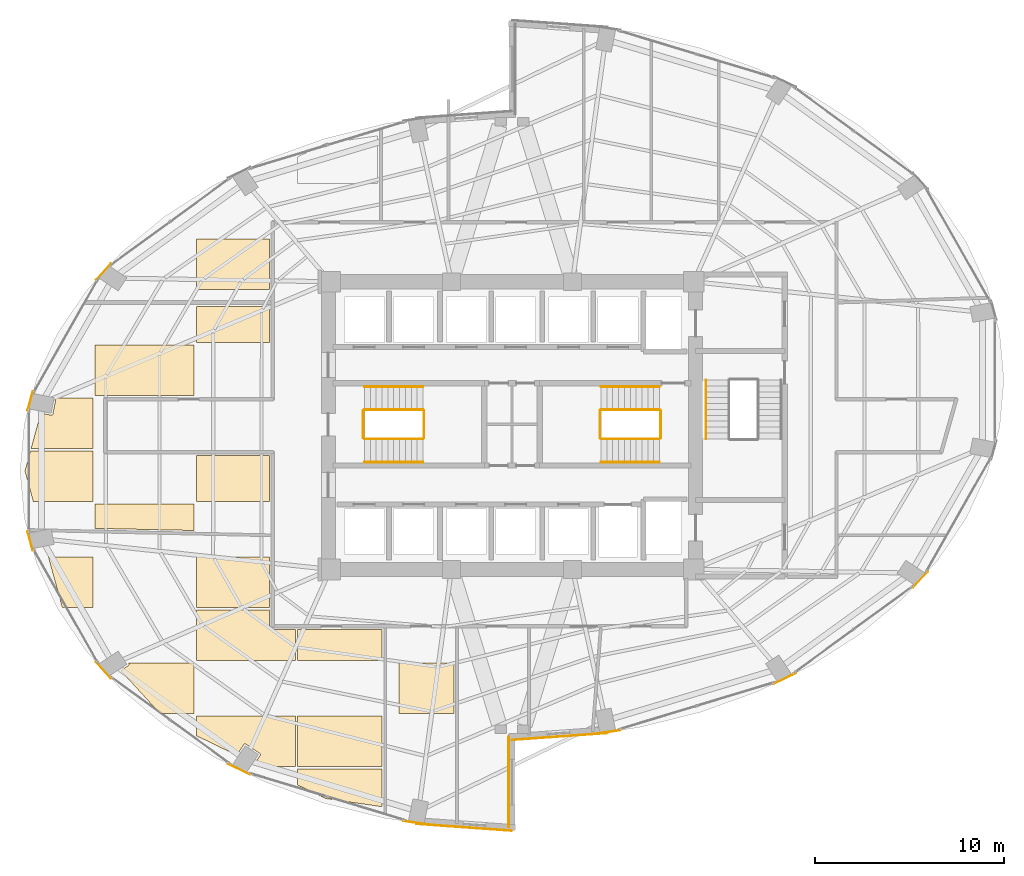
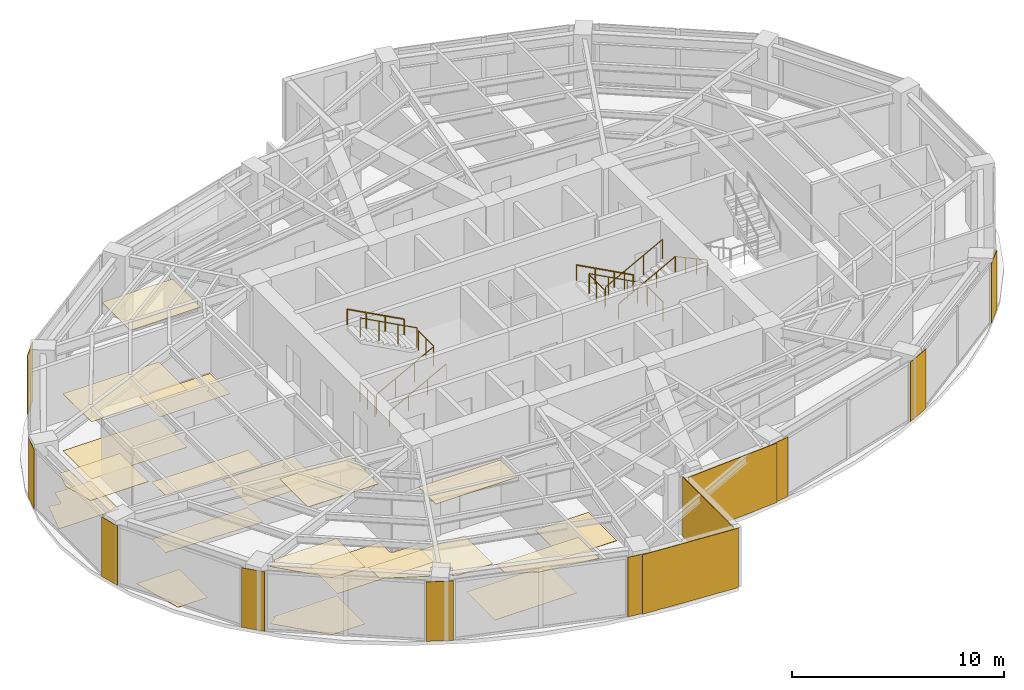
# One storey, part 22 of 23: 31 coverings, 13 railings.
"""IFC4 building model written with IfcOpenShell, lengths in metres."""

from ifc_helpers import new_model, si_unit, direction, frame, origin, origin_2d, place, context, subcontext, project, spatial, polyline, rectangle, circle, outline, extrude, material, layer, layer_set, type_object, element, save


model = new_model("IFC4")

# Units and contexts
model_context = context("Model", 3, precision=1e-05, world=origin(), true_north=direction((0.0, 1.0)))
body_context = subcontext(model_context, "Body", "Model", "MODEL_VIEW")
ifc_project = project(units=[si_unit("LENGTHUNIT", "METRE"), si_unit("AREAUNIT", "SQUARE_METRE"), si_unit("VOLUMEUNIT", "CUBIC_METRE"), si_unit("PLANEANGLEUNIT", "RADIAN"), si_unit("MASSUNIT", "GRAM", prefix="KILO")], contexts=[model_context])

# Site, building, storey
site_placement = place(None, origin())
site = spatial("IfcSite", under=ifc_project, at=site_placement, CompositionType="ELEMENT")
building_placement = place(site_placement, origin())
building = spatial("IfcBuilding", under=site, at=building_placement, Name="Lazwardi Medical Tower", CompositionType="ELEMENT")
storey_placement = place(building_placement, frame((0.0, 0.0, 89.0400390625)))
storey = spatial("IfcBuildingStorey", under=building, at=storey_placement, Name="L22", CompositionType="ELEMENT", Elevation=89.0400390625)

# Coverings
ifc_material_1 = material(Name="Anodised bronze aluminium cassette cladding", Category="aluminium")
ifc_layer_1 = layer(ifc_material_1, 0.030029296875)
ifc_layer_set_1 = layer_set([ifc_layer_1], Name="Anodised bronze aluminium cassette cladding")
covering_type_1 = type_object("IfcCoveringType", Name="COV-CLD-BRZ", PredefinedType="CLADDING", material=ifc_layer_set_1)
covering_1_placement = place(storey_placement, frame((41.064208984375, 11.80322265625, 0.0), z_axis=(0.0, 0.0, 1.0), x_axis=(0.989609019093, 0.143784523955, 0.0)))
element("IfcCovering", 1, at=covering_1_placement, inside=storey, type_object=covering_type_1, Name="L22 Mega-column bronze cassette cover M01", PredefinedType="CLADDING", context=body_context, shape_type="SweptSolid", body=[
    extrude(rectangle(XDim=1.392333984375, YDim=0.030029296875, at=origin_2d()), origin(), (0.0, 0.0, 1.0), 3.427978515625),
])
covering_2_placement = place(storey_placement, frame((50.421875, 14.634521484375, 0.0), z_axis=(0.0, 0.0, 1.0), x_axis=(0.898679250201, 0.438606435495, 0.0)))
element("IfcCovering", 2, at=covering_2_placement, inside=storey, type_object=covering_type_1, Name="L22 Mega-column bronze cassette cover M02", PredefinedType="CLADDING", context=body_context, shape_type="SweptSolid", body=[
    extrude(rectangle(XDim=1.2998046875, YDim=0.030029296875, at=origin_2d()), origin(), (0.0, 0.0, 1.0), 3.427978515625),
])
for number, where, z_axis, x_axis, name in (
    (3, (57.583740234375, 19.86572265625, 0.0), (0.0, 0.0, 1.0), (0.674925949214, 0.737885467453, 0.0), "L22 Mega-column bronze cassette cover M03"),
    (4, (14.416259765625, 36.13427734375, 0.0), (0.0, 0.0, 1.0), (-0.674925949214, -0.737885467453, 0.0), "L22 Mega-column bronze cassette cover M11"),
):
    element("IfcCovering", number, at=place(storey_placement, frame(where, z_axis=z_axis, x_axis=x_axis)), inside=storey, type_object=covering_type_1, Name=name, PredefinedType="CLADDING", context=body_context, shape_type="SweptSolid", body=[
        extrude(rectangle(XDim=1.15625, YDim=0.030029296875, at=origin_2d()), origin(), (0.0, 0.0, 1.0), 3.427978515625),
    ])
for number, where, z_axis, x_axis, name in (
    (5, (10.540283203125, 29.299072265625, 0.0), (0.0, 0.0, 1.0), (-0.262696108164, -0.964878621774, 0.0), "L22 Mega-column bronze cassette cover M12"),
    (6, (10.540283203125, 21.90087890625, 0.0), (0.0, 0.0, 1.0), (0.262696108164, -0.964878621774, 0.0), "L22 Mega-column bronze cassette cover M13"),
):
    element("IfcCovering", number, at=place(storey_placement, frame(where, z_axis=z_axis, x_axis=x_axis)), inside=storey, type_object=covering_type_1, Name=name, PredefinedType="CLADDING", context=body_context, shape_type="SweptSolid", body=[
        extrude(rectangle(XDim=1.04296875, YDim=0.030029296875, at=origin_2d()), origin(), (0.0, 0.0, 1.0), 3.427978515625),
    ])
covering_3_placement = place(storey_placement, frame((14.416259765625, 15.06591796875, 0.0), z_axis=(0.0, 0.0, 1.0), x_axis=(0.674925949214, -0.737885467453, 0.0)))
element("IfcCovering", 7, at=covering_3_placement, inside=storey, type_object=covering_type_1, Name="L22 Mega-column bronze cassette cover M14", PredefinedType="CLADDING", context=body_context, shape_type="SweptSolid", body=[
    extrude(rectangle(XDim=1.15625, YDim=0.030029296875, at=origin_2d()), origin(), (0.0, 0.0, 1.0), 3.427978515625),
])
covering_4_placement = place(storey_placement, frame((21.578125, 9.83447265625, 0.0), z_axis=(0.0, 0.0, 1.0), x_axis=(0.898679250201, -0.438606435495, 0.0)))
element("IfcCovering", 8, at=covering_4_placement, inside=storey, type_object=covering_type_1, Name="L22 Mega-column bronze cassette cover M15", PredefinedType="CLADDING", context=body_context, shape_type="SweptSolid", body=[
    extrude(rectangle(XDim=1.2998046875, YDim=0.030029296875, at=origin_2d()), origin(), (0.0, 0.0, 1.0), 3.427978515625),
])
covering_5_placement = place(storey_placement, frame((30.935791015625, 7.00341796875, 0.0), z_axis=(0.0, 0.0, 1.0), x_axis=(0.989609019093, -0.143784523955, 0.0)))
element("IfcCovering", 9, at=covering_5_placement, inside=storey, type_object=covering_type_1, Name="L22 Mega-column bronze cassette cover M16", PredefinedType="CLADDING", context=body_context, shape_type="SweptSolid", body=[
    extrude(rectangle(XDim=1.392333984375, YDim=0.030029296875, at=origin_2d()), origin(), (0.0, 0.0, 1.0), 3.427978515625),
])
ifc_material_2 = material(Name="Turquoise glazed ceramic tilework cladding", Category="masonry")
ifc_layer_2 = layer(ifc_material_2, 0.034912109375)
ifc_layer_set_2 = layer_set([ifc_layer_2], Name="Turquoise glazed ceramic tilework cladding")
covering_type_2 = type_object("IfcCoveringType", Name="COV-CLD-TRQ", PredefinedType="CLADDING", material=ifc_layer_set_2)
covering_6_placement = place(storey_placement, frame((38.533203125, 11.56591796875, 0.0), z_axis=(0.0, 0.0, 1.0), x_axis=(0.997431665415, 0.07162452672, 0.0)))
element("IfcCovering", 10, at=covering_6_placement, inside=storey, type_object=covering_type_2, Name="L22 Turquoise glazed ceramic tilework cladding", PredefinedType="CLADDING", context=body_context, shape_type="SweptSolid", body=[
    extrude(rectangle(XDim=5.05419921875, YDim=0.034912109375, at=origin_2d()), origin(), (0.0, 0.0, 1.0), 3.427978515625),
])
covering_7_placement = place(storey_placement, frame((33.466552734375, 6.76611328125, 0.0), z_axis=(0.0, 0.0, 1.0), x_axis=(0.997431165357, -0.071631490105, 0.0)))
element("IfcCovering", 11, at=covering_7_placement, inside=storey, type_object=covering_type_2, Name="L22 Turquoise glazed ceramic tilework cladding", PredefinedType="CLADDING", context=body_context, shape_type="SweptSolid", body=[
    extrude(rectangle(XDim=5.0537109375, YDim=0.034912109375, at=origin_2d()), origin(), (0.0, 0.0, 1.0), 3.427978515625),
])
covering_8_placement = place(storey_placement, frame((35.824462890625, 9.159912109375, 0.0), z_axis=(0.0, 0.0, 1.0), x_axis=(0.0, 1.0, 0.0)))
element("IfcCovering", 12, at=covering_8_placement, inside=storey, type_object=covering_type_2, Name="L22 Turquoise glazed ceramic tilework iwan panel", PredefinedType="CLADDING", context=body_context, shape_type="SweptSolid", body=[
    extrude(rectangle(XDim=4.800048828125, YDim=0.034912109375, at=origin_2d()), origin(), (0.0, 0.0, 1.0), 3.427978515625),
])
ifc_material_3 = material(Name="Acoustic mineral fibre tile")
ifc_layer_3 = layer(ifc_material_3, 0.02490234375)
ifc_layer_set_3 = layer_set([ifc_layer_3], Name="Acoustic mineral fibre tile")
covering_type_3 = type_object("IfcCoveringType", Name="COV-CLG-01", PredefinedType="CEILING", material=ifc_layer_set_3)
covering_9_placement = place(storey_placement, frame((0.0, 0.0, 3.282958984375)))
element("IfcCovering", 13, at=covering_9_placement, inside=storey, type_object=covering_type_3, Name="L22 Clinical Acoustic Ceiling 1", PredefinedType="CEILING", context=body_context, shape_type="SweptSolid", body=[
    extrude(outline(polyline([(10.552978515625, 26.662353515625), (10.262939453125, 25.60009765625), (10.704345703125, 23.982421875), (13.852783203125, 23.982421875), (13.852783203125, 26.662353515625), (10.552978515625, 26.662353515625)])), origin(), (0.0, 0.0, 1.0), 0.02490234375),
])
covering_10_placement = place(storey_placement, frame((0.0, 0.0, 3.282958984375)))
element("IfcCovering", 14, at=covering_10_placement, inside=storey, type_object=covering_type_3, Name="L22 Clinical Acoustic Ceiling 2", PredefinedType="CEILING", context=body_context, shape_type="SweptSolid", body=[
    extrude(outline(polyline([(15.725830078125, 15.46240234375), (15.748779296875, 15.42822265625), (15.752685546875, 15.421630859375), (15.756103515625, 15.41455078125), (15.7587890625, 15.406982421875), (15.7607421875, 15.3994140625), (15.76171875, 15.3916015625), (15.76220703125, 15.3837890625), (15.76171875, 15.376220703125), (15.7607421875, 15.368408203125), (15.7587890625, 15.360595703125), (15.756103515625, 15.353271484375), (15.752685546875, 15.34619140625), (15.748779296875, 15.339599609375), (15.743896484375, 15.3330078125), (15.73876953125, 15.327392578125), (15.73291015625, 15.322021484375), (15.7265625, 15.3173828125), (15.32421875, 15.048583984375), (17.401611328125, 12.782470703125), (19.202880859375, 12.782470703125), (19.202880859375, 15.46240234375), (15.725830078125, 15.46240234375)])), origin(), (0.0, 0.0, 1.0), 0.02490234375),
])
covering_11_placement = place(storey_placement, frame((0.0, 0.0, 3.282958984375)))
element("IfcCovering", 15, at=covering_11_placement, inside=storey, type_object=covering_type_3, Name="L22 Clinical Acoustic Ceiling 3", PredefinedType="CEILING", context=body_context, shape_type="SweptSolid", body=[
    extrude(outline(polyline([(13.972900390625, 22.56787109375), (19.202880859375, 22.45458984375), (19.202880859375, 23.8623046875), (13.972900390625, 23.8623046875), (13.972900390625, 22.56787109375)])), origin(), (0.0, 0.0, 1.0), 0.02490234375),
])
covering_12_placement = place(storey_placement, frame((0.0, 0.0, 3.282958984375)))
element("IfcCovering", 16, at=covering_12_placement, inside=storey, type_object=covering_type_3, Name="L22 Clinical Acoustic Ceiling 4", PredefinedType="CEILING", context=body_context, shape_type="SweptSolid", body=[
    extrude(outline(polyline([(19.202880859375, 29.58251953125), (19.202880859375, 32.262451171875), (13.972900390625, 32.262451171875), (13.972900390625, 29.58251953125), (19.202880859375, 29.58251953125)])), origin(), (0.0, 0.0, 1.0), 0.02490234375),
])
covering_13_placement = place(storey_placement, frame((0.0, 0.0, 3.282958984375)))
element("IfcCovering", 17, at=covering_13_placement, inside=storey, type_object=covering_type_3, Name="L22 Clinical Acoustic Ceiling 5", PredefinedType="CEILING", context=body_context, shape_type="SweptSolid", body=[
    extrude(outline(polyline([(19.322998046875, 11.611572265625), (21.447509765625, 10.576904296875), (21.828369140625, 11.14697265625), (21.8330078125, 11.1533203125), (21.83837890625, 11.1591796875), (21.843994140625, 11.164306640625), (21.8505859375, 11.1689453125), (21.857177734375, 11.173095703125), (21.8642578125, 11.176513671875), (21.87158203125, 11.17919921875), (21.87939453125, 11.180908203125), (21.88720703125, 11.18212890625), (21.89501953125, 11.1826171875), (21.902587890625, 11.18212890625), (21.910400390625, 11.180908203125), (21.918212890625, 11.17919921875), (21.925537109375, 11.176513671875), (21.9326171875, 11.173095703125), (21.939208984375, 11.1689453125), (22.6708984375, 10.68017578125), (22.677490234375, 10.67529296875), (22.68310546875, 10.670166015625), (22.6884765625, 10.664306640625), (22.693115234375, 10.657958984375), (22.697265625, 10.6513671875), (22.700439453125, 10.644287109375), (22.703125, 10.63671875), (22.705078125, 10.629150390625), (22.706298828125, 10.621337890625), (22.70654296875, 10.613525390625), (22.706298828125, 10.605712890625), (22.705078125, 10.597900390625), (22.703125, 10.59033203125), (22.700439453125, 10.5830078125), (22.697265625, 10.575927734375), (22.693115234375, 10.569091796875), (22.39111328125, 10.1171875), (22.667724609375, 9.982421875), (24.552978515625, 9.982421875), (24.552978515625, 12.662353515625), (19.322998046875, 12.662353515625), (19.322998046875, 11.611572265625)])), origin(), (0.0, 0.0, 1.0), 0.02490234375),
])
covering_14_placement = place(storey_placement, frame((0.0, 0.0, 3.282958984375)))
element("IfcCovering", 18, at=covering_14_placement, inside=storey, type_object=covering_type_3, Name="L22 Clinical Acoustic Ceiling 6", PredefinedType="CEILING", context=body_context, shape_type="SweptSolid", body=[
    extrude(outline(polyline([(23.175048828125, 18.38232421875), (23.175048828125, 21.0625), (19.322998046875, 21.0625), (19.322998046875, 18.38232421875), (23.175048828125, 18.38232421875)])), origin(), (0.0, 0.0, 1.0), 0.02490234375),
])
covering_15_placement = place(storey_placement, frame((0.0, 0.0, 3.282958984375)))
element("IfcCovering", 19, at=covering_15_placement, inside=storey, type_object=covering_type_3, Name="L22 Clinical Acoustic Ceiling 7", PredefinedType="CEILING", context=body_context, shape_type="SweptSolid", body=[
    extrude(outline(polyline([(23.175048828125, 35.182373046875), (23.175048828125, 37.8623046875), (19.322998046875, 37.8623046875), (19.322998046875, 35.182373046875), (23.175048828125, 35.182373046875)])), origin(), (0.0, 0.0, 1.0), 0.02490234375),
])
covering_16_placement = place(storey_placement, frame((0.0, 0.0, 3.282958984375)))
element("IfcCovering", 20, at=covering_16_placement, inside=storey, type_object=covering_type_3, Name="L22 Clinical Acoustic Ceiling 8", PredefinedType="CEILING", context=body_context, shape_type="SweptSolid", body=[
    extrude(outline(polyline([(24.6728515625, 9.005859375), (26.142822265625, 8.2900390625), (29.135009765625, 7.856201171875), (29.135009765625, 9.8623046875), (24.6728515625, 9.8623046875), (24.6728515625, 9.005859375)])), origin(), (0.0, 0.0, 1.0), 0.02490234375),
])
covering_17_placement = place(storey_placement, frame((0.0, 0.0, 3.282958984375)))
element("IfcCovering", 21, at=covering_17_placement, inside=storey, type_object=covering_type_3, Name="L22 Clinical Acoustic Ceiling 9", PredefinedType="CEILING", context=body_context, shape_type="SweptSolid", body=[
    extrude(outline(polyline([(29.135009765625, 15.58251953125), (29.135009765625, 17.22509765625), (24.6728515625, 17.22509765625), (24.6728515625, 15.58251953125), (29.135009765625, 15.58251953125)])), origin(), (0.0, 0.0, 1.0), 0.02490234375),
])
ifc_material_4 = material(Name="Anti-static hospital vinyl sheet flooring")
ifc_layer_4 = layer(ifc_material_4, 0.014892578125)
ifc_layer_set_4 = layer_set([ifc_layer_4], Name="Anti-static hospital vinyl sheet flooring")
covering_type_4 = type_object("IfcCoveringType", Name="COV-FLR-01", PredefinedType="FLOORING", material=ifc_layer_set_4)
covering_18_placement = place(storey_placement, origin())
element("IfcCovering", 22, at=covering_18_placement, inside=storey, type_object=covering_type_4, Name="L22 Clinical Vinyl Flooring 1", PredefinedType="FLOORING", context=body_context, shape_type="SweptSolid", body=[
    extrude(outline(polyline([(11.501220703125, 21.0625), (12.217529296875, 18.437744140625), (12.26806640625, 18.38232421875), (13.852783203125, 18.38232421875), (13.852783203125, 21.0625), (11.501220703125, 21.0625)])), origin(), (0.0, 0.0, 1.0), 0.014892578125),
])
covering_19_placement = place(storey_placement, origin())
element("IfcCovering", 23, at=covering_19_placement, inside=storey, type_object=covering_type_4, Name="L22 Clinical Vinyl Flooring 2", PredefinedType="FLOORING", context=body_context, shape_type="SweptSolid", body=[
    extrude(outline(polyline([(11.906982421875, 29.46240234375), (11.73779296875, 28.61181640625), (11.73583984375, 28.604248046875), (11.733154296875, 28.5966796875), (11.72998046875, 28.589599609375), (11.725830078125, 28.5830078125), (11.72119140625, 28.57666015625), (11.7158203125, 28.57080078125), (11.710205078125, 28.565673828125), (11.70361328125, 28.560791015625), (11.697021484375, 28.556884765625), (11.68994140625, 28.553466796875), (11.6826171875, 28.55078125), (11.6748046875, 28.548828125), (11.6669921875, 28.5478515625), (11.6591796875, 28.54736328125), (11.651611328125, 28.5478515625), (11.643798828125, 28.548828125), (11.097412109375, 28.65771484375), (10.585693359375, 26.782470703125), (13.852783203125, 26.782470703125), (13.852783203125, 29.46240234375), (11.906982421875, 29.46240234375)])), origin(), (0.0, 0.0, 1.0), 0.014892578125),
])
covering_20_placement = place(storey_placement, origin())
element("IfcCovering", 24, at=covering_20_placement, inside=storey, type_object=covering_type_4, Name="L22 Clinical Vinyl Flooring 3", PredefinedType="FLOORING", context=body_context, shape_type="SweptSolid", body=[
    extrude(outline(polyline([(15.725830078125, 15.46240234375), (15.748779296875, 15.42822265625), (15.752685546875, 15.421630859375), (15.756103515625, 15.41455078125), (15.7587890625, 15.406982421875), (15.7607421875, 15.3994140625), (15.76171875, 15.3916015625), (15.76220703125, 15.3837890625), (15.76171875, 15.376220703125), (15.7607421875, 15.368408203125), (15.7587890625, 15.360595703125), (15.756103515625, 15.353271484375), (15.752685546875, 15.34619140625), (15.748779296875, 15.339599609375), (15.743896484375, 15.3330078125), (15.73876953125, 15.327392578125), (15.73291015625, 15.322021484375), (15.7265625, 15.3173828125), (15.32421875, 15.048583984375), (17.401611328125, 12.782470703125), (19.202880859375, 12.782470703125), (19.202880859375, 15.46240234375), (15.725830078125, 15.46240234375)])), origin(), (0.0, 0.0, 1.0), 0.014892578125),
])
covering_21_placement = place(storey_placement, origin())
element("IfcCovering", 25, at=covering_21_placement, inside=storey, type_object=covering_type_4, Name="L22 Clinical Vinyl Flooring 4", PredefinedType="FLOORING", context=body_context, shape_type="SweptSolid", body=[
    extrude(outline(polyline([(13.972900390625, 22.56787109375), (19.202880859375, 22.45458984375), (19.202880859375, 23.8623046875), (13.972900390625, 23.8623046875), (13.972900390625, 22.56787109375)])), origin(), (0.0, 0.0, 1.0), 0.014892578125),
])
covering_22_placement = place(storey_placement, origin())
element("IfcCovering", 26, at=covering_22_placement, inside=storey, type_object=covering_type_4, Name="L22 Clinical Vinyl Flooring 5", PredefinedType="FLOORING", context=body_context, shape_type="SweptSolid", body=[
    extrude(outline(polyline([(19.202880859375, 29.58251953125), (19.202880859375, 32.262451171875), (13.972900390625, 32.262451171875), (13.972900390625, 29.58251953125), (19.202880859375, 29.58251953125)])), origin(), (0.0, 0.0, 1.0), 0.014892578125),
])
covering_23_placement = place(storey_placement, origin())
element("IfcCovering", 27, at=covering_23_placement, inside=storey, type_object=covering_type_4, Name="L22 Clinical Vinyl Flooring 6", PredefinedType="FLOORING", context=body_context, shape_type="SweptSolid", body=[
    extrude(outline(polyline([(24.552978515625, 17.22509765625), (23.35009765625, 17.22509765625), (23.345703125, 17.22509765625), (23.33642578125, 17.2255859375), (23.32958984375, 17.226318359375), (23.3203125, 17.2275390625), (23.31201171875, 17.229248046875), (23.302734375, 17.2314453125), (23.2958984375, 17.233642578125), (23.287109375, 17.23681640625), (23.279296875, 17.239990234375), (23.270751953125, 17.243896484375), (23.263916015625, 17.24755859375), (23.256103515625, 17.25244140625), (23.249267578125, 17.2568359375), (23.24169921875, 17.262451171875), (23.236083984375, 17.26708984375), (23.229248046875, 17.273193359375), (23.223388671875, 17.279296875), (23.217041015625, 17.2861328125), (23.21240234375, 17.291748046875), (23.206787109375, 17.29931640625), (23.202392578125, 17.305908203125), (23.197509765625, 17.31396484375), (23.194091796875, 17.32080078125), (23.18994140625, 17.3291015625), (23.186767578125, 17.3369140625), (23.18359375, 17.345703125), (23.181396484375, 17.352783203125), (23.17919921875, 17.36181640625), (23.177490234375, 17.370361328125), (23.17626953125, 17.37939453125), (23.175537109375, 17.386474609375), (23.175048828125, 17.395751953125), (23.175048828125, 17.39990234375), (23.175048828125, 18.262451171875), (19.322998046875, 18.262451171875), (19.322998046875, 15.58251953125), (24.552978515625, 15.58251953125), (24.552978515625, 17.22509765625)])), origin(), (0.0, 0.0, 1.0), 0.014892578125),
])
covering_24_placement = place(storey_placement, origin())
element("IfcCovering", 28, at=covering_24_placement, inside=storey, type_object=covering_type_4, Name="L22 Clinical Vinyl Flooring 7", PredefinedType="FLOORING", context=body_context, shape_type="SweptSolid", body=[
    extrude(outline(polyline([(23.175048828125, 23.982421875), (23.175048828125, 26.425048828125), (19.322998046875, 26.425048828125), (19.322998046875, 23.982421875), (23.175048828125, 23.982421875)])), origin(), (0.0, 0.0, 1.0), 0.014892578125),
])
covering_25_placement = place(storey_placement, origin())
element("IfcCovering", 29, at=covering_25_placement, inside=storey, type_object=covering_type_4, Name="L22 Clinical Vinyl Flooring 8", PredefinedType="FLOORING", context=body_context, shape_type="SweptSolid", body=[
    extrude(outline(polyline([(23.175048828125, 32.38232421875), (23.175048828125, 34.300048828125), (19.322998046875, 34.300048828125), (19.322998046875, 32.38232421875), (23.175048828125, 32.38232421875)])), origin(), (0.0, 0.0, 1.0), 0.014892578125),
])
covering_26_placement = place(storey_placement, origin())
element("IfcCovering", 30, at=covering_26_placement, inside=storey, type_object=covering_type_4, Name="L22 Clinical Vinyl Flooring 9", PredefinedType="FLOORING", context=body_context, shape_type="SweptSolid", body=[
    extrude(outline(polyline([(29.135009765625, 9.982421875), (29.135009765625, 12.662353515625), (24.6728515625, 12.662353515625), (24.6728515625, 9.982421875), (29.135009765625, 9.982421875)])), origin(), (0.0, 0.0, 1.0), 0.014892578125),
])
covering_27_placement = place(storey_placement, origin())
element("IfcCovering", 31, at=covering_27_placement, inside=storey, type_object=covering_type_4, Name="L22 Clinical Vinyl Flooring 10", PredefinedType="FLOORING", context=body_context, shape_type="SweptSolid", body=[
    extrude(outline(polyline([(32.93505859375, 12.782470703125), (32.93505859375, 15.46240234375), (30.02294921875, 15.46240234375), (30.02294921875, 12.782470703125), (32.93505859375, 12.782470703125)])), origin(), (0.0, 0.0, 1.0), 0.014892578125),
])

# Railings
ifc_material_5 = material(Name="Stainless steel Grade 316", Category="steel")
railing_type_1 = type_object("IfcRailingType", Name="RLG-GRD-1150", PredefinedType="GUARDRAIL", material=ifc_material_5)
railing_1_placement = place(storey_placement, frame((28.199951171875, 27.2900390625, 0.165771484375)))
element("IfcRailing", 32, at=railing_1_placement, inside=storey, type_object=railing_type_1, Name="L22 ST1 stair guard 1", PredefinedType="GUARDRAIL", context=body_context, shape_type="SweptSolid", body=[
    extrude(circle(Radius=0.02392578125, at=origin_2d()), frame((0.0, 0.0, 1.1259765625), z_axis=(0.881783298633, 0.0, 0.471654761719), x_axis=(0.0, 1.0, 0.0)), (0.0, 0.0, 1.0), 3.515625),
    extrude(circle(Radius=0.02099609375, at=origin_2d()), origin(), (0.0, 0.0, 1.0), 1.099853515625),
    extrude(circle(Radius=0.02099609375, at=origin_2d()), frame((1.033447265625, 0.0, 0.552734375)), (0.0, 0.0, 1.0), 1.099853515625),
    extrude(circle(Radius=0.02099609375, at=origin_2d()), frame((2.066650390625, 0.0, 1.10546875)), (0.0, 0.0, 1.0), 1.099853515625),
    extrude(circle(Radius=0.02099609375, at=origin_2d()), frame((3.10009765625, 0.0, 1.658203125)), (0.0, 0.0, 1.0), 1.099853515625),
])
railing_2_placement = place(storey_placement, frame((31.35009765625, 27.340087890625, 1.823974609375)))
element("IfcRailing", 33, at=railing_2_placement, inside=storey, type_object=railing_type_1, Name="L22 ST1 stair guard 2", PredefinedType="GUARDRAIL", context=body_context, shape_type="SweptSolid", body=[
    extrude(circle(Radius=0.02392578125, at=origin_2d()), frame((0.0, 0.0, 1.1259765625), z_axis=(0.0, 1.0, 0.0), x_axis=(-1.0, 0.0, 0.0)), (0.0, 0.0, 1.0), 1.43994140625),
    extrude(circle(Radius=0.02099609375, at=origin_2d()), origin(), (0.0, 0.0, 1.0), 1.099853515625),
    extrude(circle(Radius=0.02099609375, at=origin_2d()), frame((0.0, 0.719970703125, 0.0)), (0.0, 0.0, 1.0), 1.099853515625),
    extrude(circle(Radius=0.02099609375, at=origin_2d()), frame((0.0, 1.43994140625, 0.0)), (0.0, 0.0, 1.0), 1.099853515625),
])
railing_3_placement = place(storey_placement, frame((31.300048828125, 28.830078125, 1.98974609375)))
element("IfcRailing", 34, at=railing_3_placement, inside=storey, type_object=railing_type_1, Name="L22 ST1 stair guard 3", PredefinedType="GUARDRAIL", context=body_context, shape_type="SweptSolid", body=[
    extrude(circle(Radius=0.02392578125, at=origin_2d()), frame((0.0, 0.0, 1.1259765625), z_axis=(-0.881783298633, 0.0, 0.471654761719), x_axis=(0.0, -1.0, 0.0)), (0.0, 0.0, 1.0), 3.515625),
    extrude(circle(Radius=0.02099609375, at=origin_2d()), origin(), (0.0, 0.0, 1.0), 1.099853515625),
    extrude(circle(Radius=0.02099609375, at=origin_2d()), frame((-1.033447265625, 0.0, 0.552734375)), (0.0, 0.0, 1.0), 1.099853515625),
    extrude(circle(Radius=0.02099609375, at=origin_2d()), frame((-2.066650390625, 0.0, 1.10546875)), (0.0, 0.0, 1.0), 1.099853515625),
    extrude(circle(Radius=0.02099609375, at=origin_2d()), frame((-3.10009765625, 0.0, 1.658203125)), (0.0, 0.0, 1.0), 1.099853515625),
])
railing_4_placement = place(storey_placement, frame((28.14990234375, 27.340087890625, 0.0)))
element("IfcRailing", 35, at=railing_4_placement, inside=storey, type_object=railing_type_1, Name="L22 ST1 stair guard 4", PredefinedType="GUARDRAIL", context=body_context, shape_type="SweptSolid", body=[
    extrude(circle(Radius=0.02392578125, at=origin_2d()), frame((0.0, 0.0, 1.1259765625), z_axis=(0.0, 1.0, 0.0), x_axis=(-1.0, 0.0, 0.0)), (0.0, 0.0, 1.0), 1.43994140625),
    extrude(circle(Radius=0.02099609375, at=origin_2d()), origin(), (0.0, 0.0, 1.0), 1.099853515625),
    extrude(circle(Radius=0.02099609375, at=origin_2d()), frame((0.0, 0.719970703125, 0.0)), (0.0, 0.0, 1.0), 1.099853515625),
    extrude(circle(Radius=0.02099609375, at=origin_2d()), frame((0.0, 1.43994140625, 0.0)), (0.0, 0.0, 1.0), 1.099853515625),
])
railing_5_placement = place(storey_placement, frame((43.800048828125, 28.830078125, 0.165771484375)))
element("IfcRailing", 36, at=railing_5_placement, inside=storey, type_object=railing_type_1, Name="L22 ST2 stair guard 1", PredefinedType="GUARDRAIL", context=body_context, shape_type="SweptSolid", body=[
    extrude(circle(Radius=0.02392578125, at=origin_2d()), frame((0.0, 0.0, 1.1259765625), z_axis=(-0.881783298633, 0.0, 0.471654761719), x_axis=(0.0, -1.0, 0.0)), (0.0, 0.0, 1.0), 3.515625),
    extrude(circle(Radius=0.02099609375, at=origin_2d()), origin(), (0.0, 0.0, 1.0), 1.099853515625),
    extrude(circle(Radius=0.02099609375, at=origin_2d()), frame((-1.033447265625, 0.0, 0.552734375)), (0.0, 0.0, 1.0), 1.099853515625),
    extrude(circle(Radius=0.02099609375, at=origin_2d()), frame((-2.066650390625, 0.0, 1.10546875)), (0.0, 0.0, 1.0), 1.099853515625),
    extrude(circle(Radius=0.02099609375, at=origin_2d()), frame((-3.10009765625, 0.0, 1.658203125)), (0.0, 0.0, 1.0), 1.099853515625),
])
railing_6_placement = place(storey_placement, frame((40.64990234375, 28.780029296875, 1.823974609375)))
element("IfcRailing", 37, at=railing_6_placement, inside=storey, type_object=railing_type_1, Name="L22 ST2 stair guard 2", PredefinedType="GUARDRAIL", context=body_context, shape_type="SweptSolid", body=[
    extrude(circle(Radius=0.02392578125, at=origin_2d()), frame((0.0, 0.0, 1.1259765625), z_axis=(0.0, -1.0, 0.0), x_axis=(1.0, 0.0, 0.0)), (0.0, 0.0, 1.0), 1.43994140625),
    extrude(circle(Radius=0.02099609375, at=origin_2d()), origin(), (0.0, 0.0, 1.0), 1.099853515625),
    extrude(circle(Radius=0.02099609375, at=origin_2d()), frame((0.0, -0.719970703125, 0.0)), (0.0, 0.0, 1.0), 1.099853515625),
    extrude(circle(Radius=0.02099609375, at=origin_2d()), frame((0.0, -1.43994140625, 0.0)), (0.0, 0.0, 1.0), 1.099853515625),
])
railing_7_placement = place(storey_placement, frame((40.699951171875, 27.2900390625, 1.98974609375)))
element("IfcRailing", 38, at=railing_7_placement, inside=storey, type_object=railing_type_1, Name="L22 ST2 stair guard 3", PredefinedType="GUARDRAIL", context=body_context, shape_type="SweptSolid", body=[
    extrude(circle(Radius=0.02392578125, at=origin_2d()), frame((0.0, 0.0, 1.1259765625), z_axis=(0.881783298633, 0.0, 0.471654761719), x_axis=(0.0, 1.0, 0.0)), (0.0, 0.0, 1.0), 3.515625),
    extrude(circle(Radius=0.02099609375, at=origin_2d()), origin(), (0.0, 0.0, 1.0), 1.099853515625),
    extrude(circle(Radius=0.02099609375, at=origin_2d()), frame((1.033447265625, 0.0, 0.552734375)), (0.0, 0.0, 1.0), 1.099853515625),
    extrude(circle(Radius=0.02099609375, at=origin_2d()), frame((2.066650390625, 0.0, 1.10546875)), (0.0, 0.0, 1.0), 1.099853515625),
    extrude(circle(Radius=0.02099609375, at=origin_2d()), frame((3.10009765625, 0.0, 1.658203125)), (0.0, 0.0, 1.0), 1.099853515625),
])
railing_8_placement = place(storey_placement, frame((43.85009765625, 28.780029296875, 0.0)))
element("IfcRailing", 39, at=railing_8_placement, inside=storey, type_object=railing_type_1, Name="L22 ST2 stair guard 4", PredefinedType="GUARDRAIL", context=body_context, shape_type="SweptSolid", body=[
    extrude(circle(Radius=0.02392578125, at=origin_2d()), frame((0.0, 0.0, 1.1259765625), z_axis=(0.0, -1.0, 0.0), x_axis=(1.0, 0.0, 0.0)), (0.0, 0.0, 1.0), 1.43994140625),
    extrude(circle(Radius=0.02099609375, at=origin_2d()), origin(), (0.0, 0.0, 1.0), 1.099853515625),
    extrude(circle(Radius=0.02099609375, at=origin_2d()), frame((0.0, -0.719970703125, 0.0)), (0.0, 0.0, 1.0), 1.099853515625),
    extrude(circle(Radius=0.02099609375, at=origin_2d()), frame((0.0, -1.43994140625, 0.0)), (0.0, 0.0, 1.0), 1.099853515625),
])
railing_type_2 = type_object("IfcRailingType", Name="RLG-HND-920", PredefinedType="HANDRAIL", material=ifc_material_5)
railing_9_placement = place(storey_placement, frame((28.199951171875, 26.070068359375, 0.165771484375)))
element("IfcRailing", 40, at=railing_9_placement, inside=storey, type_object=railing_type_2, Name="L22 ST1 stair handrail 1", PredefinedType="HANDRAIL", context=body_context, shape_type="SweptSolid", body=[
    extrude(circle(Radius=0.02392578125, at=origin_2d()), frame((0.0, 0.0, 0.8857421875), z_axis=(0.881783298633, 0.0, 0.471654761719), x_axis=(0.0, 1.0, 0.0)), (0.0, 0.0, 1.0), 3.515625),
    extrude(circle(Radius=0.02099609375, at=origin_2d()), origin(), (0.0, 0.0, 1.0), 0.85986328125),
    extrude(circle(Radius=0.02099609375, at=origin_2d()), frame((1.033447265625, 0.0, 0.552734375)), (0.0, 0.0, 1.0), 0.85986328125),
    extrude(circle(Radius=0.02099609375, at=origin_2d()), frame((2.066650390625, 0.0, 1.10546875)), (0.0, 0.0, 1.0), 0.85986328125),
    extrude(circle(Radius=0.02099609375, at=origin_2d()), frame((3.10009765625, 0.0, 1.658203125)), (0.0, 0.0, 1.0), 0.85986328125),
])
for number, where, name in (
    (41, (31.300048828125, 30.050048828125, 1.98974609375), "L22 ST1 stair handrail 2"),
    (42, (43.800048828125, 30.050048828125, 0.165771484375), "L22 ST2 stair handrail 1"),
):
    element("IfcRailing", number, at=place(storey_placement, frame(where)), inside=storey, type_object=railing_type_2, Name=name, PredefinedType="HANDRAIL", context=body_context, shape_type="SweptSolid", body=[
        extrude(circle(Radius=0.02392578125, at=origin_2d()), frame((0.0, 0.0, 0.8857421875), z_axis=(-0.881783298633, 0.0, 0.471654761719), x_axis=(0.0, -1.0, 0.0)), (0.0, 0.0, 1.0), 3.515625),
        extrude(circle(Radius=0.02099609375, at=origin_2d()), origin(), (0.0, 0.0, 1.0), 0.85986328125),
        extrude(circle(Radius=0.02099609375, at=origin_2d()), frame((-1.033447265625, 0.0, 0.552734375)), (0.0, 0.0, 1.0), 0.85986328125),
        extrude(circle(Radius=0.02099609375, at=origin_2d()), frame((-2.066650390625, 0.0, 1.10546875)), (0.0, 0.0, 1.0), 0.85986328125),
        extrude(circle(Radius=0.02099609375, at=origin_2d()), frame((-3.10009765625, 0.0, 1.658203125)), (0.0, 0.0, 1.0), 0.85986328125),
    ])
railing_10_placement = place(storey_placement, frame((40.699951171875, 26.070068359375, 1.98974609375)))
element("IfcRailing", 43, at=railing_10_placement, inside=storey, type_object=railing_type_2, Name="L22 ST2 stair handrail 2", PredefinedType="HANDRAIL", context=body_context, shape_type="SweptSolid", body=[
    extrude(circle(Radius=0.02392578125, at=origin_2d()), frame((0.0, 0.0, 0.8857421875), z_axis=(0.881783298633, 0.0, 0.471654761719), x_axis=(0.0, 1.0, 0.0)), (0.0, 0.0, 1.0), 3.515625),
    extrude(circle(Radius=0.02099609375, at=origin_2d()), origin(), (0.0, 0.0, 1.0), 0.85986328125),
    extrude(circle(Radius=0.02099609375, at=origin_2d()), frame((1.033447265625, 0.0, 0.552734375)), (0.0, 0.0, 1.0), 0.85986328125),
    extrude(circle(Radius=0.02099609375, at=origin_2d()), frame((2.066650390625, 0.0, 1.10546875)), (0.0, 0.0, 1.0), 0.85986328125),
    extrude(circle(Radius=0.02099609375, at=origin_2d()), frame((3.10009765625, 0.0, 1.658203125)), (0.0, 0.0, 1.0), 0.85986328125),
])
railing_11_placement = place(storey_placement, frame((46.25, 30.39990234375, 0.165771484375)))
element("IfcRailing", 44, at=railing_11_placement, inside=storey, type_object=railing_type_2, Name="L22 ST3 stair handrail 1", PredefinedType="HANDRAIL", context=body_context, shape_type="SweptSolid", body=[
    extrude(circle(Radius=0.02392578125, at=origin_2d()), frame((0.0, 0.0, 0.8857421875), z_axis=(0.0, -0.881767849116, 0.471683644262), x_axis=(1.0, 0.0, 0.0)), (0.0, 0.0, 1.0), 3.515380859375),
    extrude(circle(Radius=0.02099609375, at=origin_2d()), origin(), (0.0, 0.0, 1.0), 0.85986328125),
    extrude(circle(Radius=0.02099609375, at=origin_2d()), frame((0.0, -1.033203125, 0.552734375)), (0.0, 0.0, 1.0), 0.85986328125),
    extrude(circle(Radius=0.02099609375, at=origin_2d()), frame((0.0, -2.066650390625, 1.10546875)), (0.0, 0.0, 1.0), 0.85986328125),
    extrude(circle(Radius=0.02099609375, at=origin_2d()), frame((0.0, -3.099853515625, 1.658203125)), (0.0, 0.0, 1.0), 0.85986328125),
])

save(model, "model.ifc")
